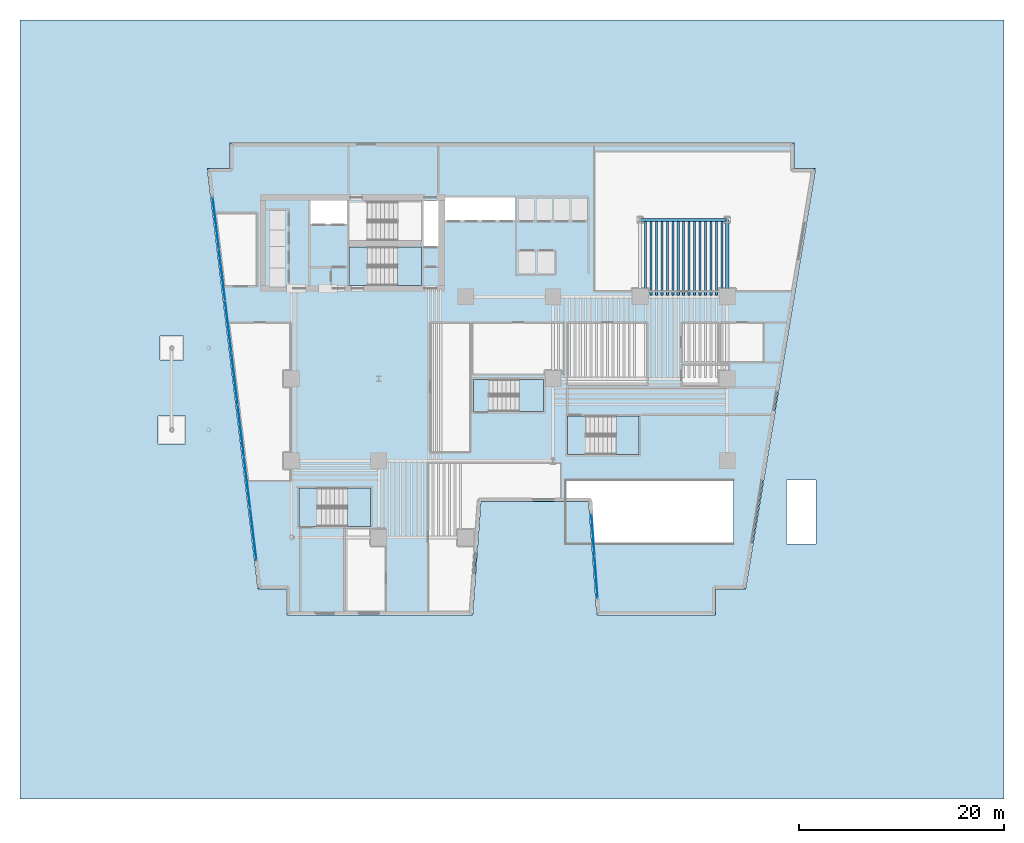
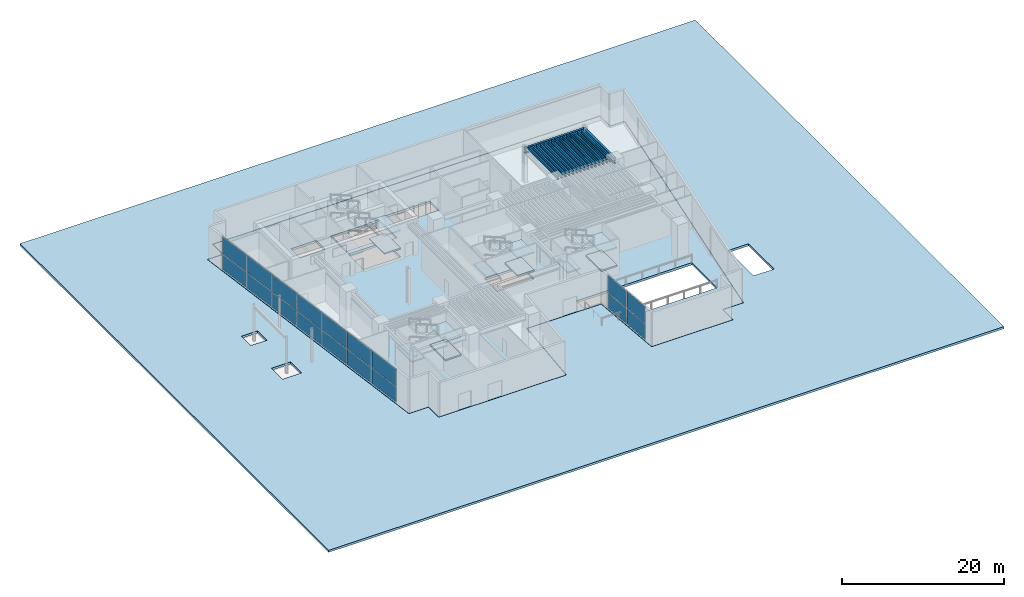
# One storey, part 7 of 18: 18 plates, 17 beams, 14 slabs, 6 elements without a shape of their own.
"""IFC4 building model written with IfcOpenShell, lengths in metres."""

from ifc_helpers import new_model, si_unit, direction, frame, origin, origin_2d, place, context, subcontext, project, spatial, polyline, rectangle, i_section, outline, extrude, material, layer, layer_set, material_profile, profile_set, type_object, element, aggregate, save


model = new_model("IFC4")

# Units and contexts
model_context = context("Model", 3, precision=1e-05, world=origin(), true_north=direction((0.0, 1.0)))
body_context = subcontext(model_context, "Body", "Model", "MODEL_VIEW")
ifc_project = project(units=[si_unit("LENGTHUNIT", "METRE"), si_unit("AREAUNIT", "SQUARE_METRE"), si_unit("VOLUMEUNIT", "CUBIC_METRE"), si_unit("PLANEANGLEUNIT", "RADIAN"), si_unit("MASSUNIT", "GRAM", prefix="KILO")], contexts=[model_context])

# Site, building, storey
site_placement = place(None, origin())
site = spatial("IfcSite", under=ifc_project, at=site_placement, CompositionType="ELEMENT")
building_placement = place(site_placement, origin())
building = spatial("IfcBuilding", under=site, at=building_placement, Name="Caeloran Harvest Quay", CompositionType="ELEMENT")
storey_placement = place(building_placement, origin())
storey = spatial("IfcBuildingStorey", under=building, at=storey_placement, Name="L01", CompositionType="ELEMENT", Elevation=0.0)

# Beams
ifc_material_1 = material(Name="Steel S355J2", Category="steel")
ifc_material_profile_1 = material_profile(ifc_material_1, i_section(OverallWidth=0.300048828125, OverallDepth=0.800048828125, WebThickness=0.017578125, FlangeThickness=0.032958984375, FilletRadius=0.030029296875, at=origin_2d()), Name="HE 800 B")
ifc_profile_set_1 = profile_set([ifc_material_profile_1], Name="Steel S355J2")
beam_type_1 = type_object("IfcBeamType", Name="BM-PG-1-HE_800_B", PredefinedType="BEAM", material=ifc_profile_set_1)
beam_1_placement = place(storey_placement, frame((42.5, 38.5, 4.679931640625), z_axis=(1.0, 0.0, 0.0), x_axis=(0.0, 1.0, 0.0)))
element("IfcBeam", 1, at=beam_1_placement, inside=storey, type_object=beam_type_1, Name="L01 Primary East-West Girder Y=38.5", PredefinedType="BEAM", context=body_context, shape_type="SweptSolid", body=[
    extrude(i_section(OverallWidth=0.300048828125, OverallDepth=0.800048828125, WebThickness=0.017578125, FlangeThickness=0.032958984375, FilletRadius=0.030029296875, at=origin_2d()), origin(), (0.0, 0.0, 1.0), 8.5),
])
beam_2_placement = place(storey_placement, frame((51.0, 31.0, 4.679931640625), z_axis=(0.0, 1.0, 0.0), x_axis=(-1.0, 0.0, 0.0)))
element("IfcBeam", 2, at=beam_2_placement, inside=storey, type_object=beam_type_1, Name="L01 Primary North-South Girder X=51.0", PredefinedType="BEAM", context=body_context, shape_type="SweptSolid", body=[
    extrude(i_section(OverallWidth=0.300048828125, OverallDepth=0.800048828125, WebThickness=0.017578125, FlangeThickness=0.032958984375, FilletRadius=0.030029296875, at=origin_2d()), origin(), (0.0, 0.0, 1.0), 7.5),
])
ifc_material_profile_2 = material_profile(ifc_material_1, i_section(OverallWidth=0.199951171875, OverallDepth=0.5, WebThickness=0.01025390625, FlangeThickness=0.01611328125, FilletRadius=0.02099609375, at=origin_2d()), Name="IPE 500")
ifc_profile_set_2 = profile_set([ifc_material_profile_2], Name="Steel S355J2")
beam_type_2 = type_object("IfcBeamType", Name="BM-SB-2-IPE_500", PredefinedType="JOIST", material=ifc_profile_set_2)
for number, where, z_axis, x_axis, name in (
    (3, (43.03125, 31.14501953125, 4.830078125), (0.0, 1.0, 0.0), (-1.0, 0.0, 0.0), "L01 Secondary Composite Joist"),
    (4, (44.09375, 31.14501953125, 4.830078125), (0.0, 1.0, 0.0), (-1.0, 0.0, 0.0), "L01 Secondary Composite Joist"),
    (5, (45.15625, 31.14501953125, 4.830078125), (0.0, 1.0, 0.0), (-1.0, 0.0, 0.0), "L01 Secondary Composite Joist"),
    (6, (46.21875, 31.14501953125, 4.830078125), (0.0, 1.0, 0.0), (-1.0, 0.0, 0.0), "L01 Secondary Composite Joist"),
    (7, (47.28125, 31.14501953125, 4.830078125), (0.0, 1.0, 0.0), (-1.0, 0.0, 0.0), "L01 Secondary Composite Joist"),
    (8, (48.34375, 31.14501953125, 4.830078125), (0.0, 1.0, 0.0), (-1.0, 0.0, 0.0), "L01 Secondary Composite Joist"),
    (9, (49.40625, 31.14501953125, 4.830078125), (0.0, 1.0, 0.0), (-1.0, 0.0, 0.0), "L01 Secondary Composite Joist"),
    (10, (50.46875, 31.14501953125, 4.830078125), (0.0, 1.0, 0.0), (-1.0, 0.0, 0.0), "L01 Secondary Composite Joist"),
):
    element("IfcBeam", number, at=place(storey_placement, frame(where, z_axis=z_axis, x_axis=x_axis)), inside=storey, type_object=beam_type_2, Name=name, PredefinedType="JOIST", context=body_context, shape_type="SweptSolid", body=[
        extrude(i_section(OverallWidth=0.199951171875, OverallDepth=0.5, WebThickness=0.01025390625, FlangeThickness=0.01611328125, FilletRadius=0.02099609375, at=origin_2d()), origin(), (0.0, 0.0, 1.0), 7.2099609375),
    ])
ifc_material_profile_3 = material_profile(ifc_material_1, i_section(OverallWidth=0.18994140625, OverallDepth=0.449951171875, WebThickness=0.009521484375, FlangeThickness=0.0146484375, FilletRadius=0.02099609375, at=origin_2d()), Name="IPE 450")
ifc_profile_set_3 = profile_set([ifc_material_profile_3], Name="Steel S355J2")
beam_type_3 = type_object("IfcBeamType", Name="BM-SB-3-IPE_450", PredefinedType="JOIST", material=ifc_profile_set_3)
for number, where, z_axis, x_axis, name in (
    (11, (43.5625, 31.14501953125, 4.85498046875), (0.0, 1.0, 0.0), (-1.0, 0.0, 0.0), "L01 Secondary Composite Joist"),
    (12, (44.625, 31.14501953125, 4.85498046875), (0.0, 1.0, 0.0), (-1.0, 0.0, 0.0), "L01 Secondary Composite Joist"),
    (13, (45.6875, 31.14501953125, 4.85498046875), (0.0, 1.0, 0.0), (-1.0, 0.0, 0.0), "L01 Secondary Composite Joist"),
    (14, (46.75, 31.14501953125, 4.85498046875), (0.0, 1.0, 0.0), (-1.0, 0.0, 0.0), "L01 Secondary Composite Joist"),
    (15, (47.8125, 31.14501953125, 4.85498046875), (0.0, 1.0, 0.0), (-1.0, 0.0, 0.0), "L01 Secondary Composite Joist"),
    (16, (48.875, 31.14501953125, 4.85498046875), (0.0, 1.0, 0.0), (-1.0, 0.0, 0.0), "L01 Secondary Composite Joist"),
    (17, (49.9375, 31.14501953125, 4.85498046875), (0.0, 1.0, 0.0), (-1.0, 0.0, 0.0), "L01 Secondary Composite Joist"),
):
    element("IfcBeam", number, at=place(storey_placement, frame(where, z_axis=z_axis, x_axis=x_axis)), inside=storey, type_object=beam_type_3, Name=name, PredefinedType="JOIST", context=body_context, shape_type="SweptSolid", body=[
        extrude(i_section(OverallWidth=0.18994140625, OverallDepth=0.449951171875, WebThickness=0.009521484375, FlangeThickness=0.0146484375, FilletRadius=0.02099609375, at=origin_2d()), origin(), (0.0, 0.0, 1.0), 7.2099609375),
    ])

# Curtain wall, plates
ifc_material_2 = material(Name="Aluminium 6063-T6 and Low-E Glazing", Category="aluminium")
ifc_layer_1 = layer(ifc_material_2, 0.179931640625, Name="Aluminium 6063-T6 and Low-E Glazing")
ifc_layer_set_1 = layer_set([ifc_layer_1], Name="Aluminium 6063-T6 and Low-E Glazing")
curtain_wall_type = type_object("IfcCurtainWallType", Name="CW-SYS-CW-1", PredefinedType="USERDEFINED", material=ifc_layer_set_1)
curtain_wall_1_placement = place(storey_placement, origin())
curtain_wall_1 = element("IfcCurtainWall", 18, at=curtain_wall_1_placement, inside=storey, type_object=curtain_wall_type, Name="L01 Unitised Curtain Wall CW-1 Run 3", ObjectType="CURTAIN_WALL", PredefinedType="USERDEFINED")
ifc_material_3 = material(Name="Low-E Double Glazed Vision Glass Unit", Category="glass")
ifc_layer_2 = layer(ifc_material_3, 0.035888671875, Name="Low-E Double Glazed Vision Glass Unit")
ifc_layer_set_2 = layer_set([ifc_layer_2], Name="Low-E Double Glazed Vision Glass Unit")
plate_type = type_object("IfcPlateType", Name="CW-VISION-PANEL", PredefinedType="CURTAIN_PANEL", material=ifc_layer_set_2)
plate_1_placement = place(storey_placement, frame((4.765380859375, 7.798095703125, 0.080078125), z_axis=(0.0, 0.0, 1.0), x_axis=(-0.119658079138, 0.992815161093, 0.0)))
plate_1 = element("IfcPlate", 19, at=plate_1_placement, type_object=plate_type, Name="CW-1 panel 1.1", PredefinedType="CURTAIN_PANEL", context=body_context, shape_type="SweptSolid", body=[
    extrude(rectangle(XDim=4.99072265625, YDim=0.035888671875, at=origin_2d()), origin(), (0.0, 0.0, 1.0), 2.280029296875),
])
plate_2_placement = place(storey_placement, frame((4.765380859375, 7.798095703125, 2.43994140625), z_axis=(0.0, 0.0, 1.0), x_axis=(-0.119658079138, 0.992815161093, 0.0)))
plate_2 = element("IfcPlate", 20, at=plate_2_placement, type_object=plate_type, Name="CW-1 panel 1.2", PredefinedType="CURTAIN_PANEL", context=body_context, shape_type="SweptSolid", body=[
    extrude(rectangle(XDim=4.99072265625, YDim=0.035888671875, at=origin_2d()), origin(), (0.0, 0.0, 1.0), 2.56005859375),
])
plate_3_placement = place(storey_placement, frame((4.15625, 12.85205078125, 0.080078125), z_axis=(0.0, 0.0, 1.0), x_axis=(-0.119658079138, 0.992815161093, 0.0)))
plate_3 = element("IfcPlate", 21, at=plate_3_placement, type_object=plate_type, Name="CW-1 panel 2.1", PredefinedType="CURTAIN_PANEL", context=body_context, shape_type="SweptSolid", body=[
    extrude(rectangle(XDim=5.030517578125, YDim=0.035888671875, at=origin_2d()), origin(), (0.0, 0.0, 1.0), 2.280029296875),
])
plate_4_placement = place(storey_placement, frame((4.15625, 12.85205078125, 2.43994140625), z_axis=(0.0, 0.0, 1.0), x_axis=(-0.119658079138, 0.992815161093, 0.0)))
plate_4 = element("IfcPlate", 22, at=plate_4_placement, type_object=plate_type, Name="CW-1 panel 2.2", PredefinedType="CURTAIN_PANEL", context=body_context, shape_type="SweptSolid", body=[
    extrude(rectangle(XDim=5.030517578125, YDim=0.035888671875, at=origin_2d()), origin(), (0.0, 0.0, 1.0), 2.56005859375),
])
plate_5_placement = place(storey_placement, frame((3.544677734375, 17.926025390625, 0.080078125), z_axis=(0.0, 0.0, 1.0), x_axis=(-0.119658079138, 0.992815161093, 0.0)))
plate_5 = element("IfcPlate", 23, at=plate_5_placement, type_object=plate_type, Name="CW-1 panel 3.1", PredefinedType="CURTAIN_PANEL", context=body_context, shape_type="SweptSolid", body=[
    extrude(rectangle(XDim=5.030517578125, YDim=0.035888671875, at=origin_2d()), origin(), (0.0, 0.0, 1.0), 2.280029296875),
])
plate_6_placement = place(storey_placement, frame((3.544677734375, 17.926025390625, 2.43994140625), z_axis=(0.0, 0.0, 1.0), x_axis=(-0.119658079138, 0.992815161093, 0.0)))
plate_6 = element("IfcPlate", 24, at=plate_6_placement, type_object=plate_type, Name="CW-1 panel 3.2", PredefinedType="CURTAIN_PANEL", context=body_context, shape_type="SweptSolid", body=[
    extrude(rectangle(XDim=5.030517578125, YDim=0.035888671875, at=origin_2d()), origin(), (0.0, 0.0, 1.0), 2.56005859375),
])
plate_7_placement = place(storey_placement, frame((2.93310546875, 23.0, 0.080078125), z_axis=(0.0, 0.0, 1.0), x_axis=(-0.119658079138, 0.992815161093, 0.0)))
plate_7 = element("IfcPlate", 25, at=plate_7_placement, type_object=plate_type, Name="CW-1 panel 4.1", PredefinedType="CURTAIN_PANEL", context=body_context, shape_type="SweptSolid", body=[
    extrude(rectangle(XDim=5.030517578125, YDim=0.035888671875, at=origin_2d()), origin(), (0.0, 0.0, 1.0), 2.280029296875),
])
plate_8_placement = place(storey_placement, frame((2.93310546875, 23.0, 2.43994140625), z_axis=(0.0, 0.0, 1.0), x_axis=(-0.119658079138, 0.992815161093, 0.0)))
plate_8 = element("IfcPlate", 26, at=plate_8_placement, type_object=plate_type, Name="CW-1 panel 4.2", PredefinedType="CURTAIN_PANEL", context=body_context, shape_type="SweptSolid", body=[
    extrude(rectangle(XDim=5.030517578125, YDim=0.035888671875, at=origin_2d()), origin(), (0.0, 0.0, 1.0), 2.56005859375),
])
plate_9_placement = place(storey_placement, frame((2.321533203125, 28.073974609375, 0.080078125), z_axis=(0.0, 0.0, 1.0), x_axis=(-0.119658079138, 0.992815161093, 0.0)))
plate_9 = element("IfcPlate", 27, at=plate_9_placement, type_object=plate_type, Name="CW-1 panel 5.1", PredefinedType="CURTAIN_PANEL", context=body_context, shape_type="SweptSolid", body=[
    extrude(rectangle(XDim=5.030517578125, YDim=0.035888671875, at=origin_2d()), origin(), (0.0, 0.0, 1.0), 2.280029296875),
])
plate_10_placement = place(storey_placement, frame((2.321533203125, 28.073974609375, 2.43994140625), z_axis=(0.0, 0.0, 1.0), x_axis=(-0.119658079138, 0.992815161093, 0.0)))
plate_10 = element("IfcPlate", 28, at=plate_10_placement, type_object=plate_type, Name="CW-1 panel 5.2", PredefinedType="CURTAIN_PANEL", context=body_context, shape_type="SweptSolid", body=[
    extrude(rectangle(XDim=5.030517578125, YDim=0.035888671875, at=origin_2d()), origin(), (0.0, 0.0, 1.0), 2.56005859375),
])
plate_11_placement = place(storey_placement, frame((1.710205078125, 33.14794921875, 0.080078125), z_axis=(0.0, 0.0, 1.0), x_axis=(-0.119658079138, 0.992815161093, 0.0)))
plate_11 = element("IfcPlate", 29, at=plate_11_placement, type_object=plate_type, Name="CW-1 panel 6.1", PredefinedType="CURTAIN_PANEL", context=body_context, shape_type="SweptSolid", body=[
    extrude(rectangle(XDim=5.030517578125, YDim=0.035888671875, at=origin_2d()), origin(), (0.0, 0.0, 1.0), 2.280029296875),
])
plate_12_placement = place(storey_placement, frame((1.710205078125, 33.14794921875, 2.43994140625), z_axis=(0.0, 0.0, 1.0), x_axis=(-0.119658079138, 0.992815161093, 0.0)))
plate_12 = element("IfcPlate", 30, at=plate_12_placement, type_object=plate_type, Name="CW-1 panel 6.2", PredefinedType="CURTAIN_PANEL", context=body_context, shape_type="SweptSolid", body=[
    extrude(rectangle(XDim=5.030517578125, YDim=0.035888671875, at=origin_2d()), origin(), (0.0, 0.0, 1.0), 2.56005859375),
])
plate_13_placement = place(storey_placement, frame((1.10107421875, 38.201904296875, 0.080078125), z_axis=(0.0, 0.0, 1.0), x_axis=(-0.119658079138, 0.992815161093, 0.0)))
plate_13 = element("IfcPlate", 31, at=plate_13_placement, type_object=plate_type, Name="CW-1 panel 7.1", PredefinedType="CURTAIN_PANEL", context=body_context, shape_type="SweptSolid", body=[
    extrude(rectangle(XDim=4.99072265625, YDim=0.035888671875, at=origin_2d()), origin(), (0.0, 0.0, 1.0), 2.280029296875),
])
plate_14_placement = place(storey_placement, frame((1.10107421875, 38.201904296875, 2.43994140625), z_axis=(0.0, 0.0, 1.0), x_axis=(-0.119658079138, 0.992815161093, 0.0)))
plate_14 = element("IfcPlate", 32, at=plate_14_placement, type_object=plate_type, Name="CW-1 panel 7.2", PredefinedType="CURTAIN_PANEL", context=body_context, shape_type="SweptSolid", body=[
    extrude(rectangle(XDim=4.99072265625, YDim=0.035888671875, at=origin_2d()), origin(), (0.0, 0.0, 1.0), 2.56005859375),
])
aggregate(curtain_wall_1, [plate_1, plate_2, plate_3, plate_4, plate_5, plate_6, plate_7, plate_8, plate_9, plate_10, plate_11, plate_12, plate_13, plate_14])

curtain_wall_2_placement = place(storey_placement, origin())
curtain_wall_2 = element("IfcCurtainWall", 33, at=curtain_wall_2_placement, inside=storey, type_object=curtain_wall_type, Name="L01 Unitised Curtain Wall CW-1 Run 13", ObjectType="CURTAIN_WALL", PredefinedType="USERDEFINED")
plate_15_placement = place(storey_placement, frame((38.20068359375, 3.63818359375, 0.080078125), z_axis=(0.0, 0.0, 1.0), x_axis=(-0.072270599173, 0.997385061295, 0.0)))
plate_15 = element("IfcPlate", 34, at=plate_15_placement, type_object=plate_type, Name="CW-1 panel 1.1", PredefinedType="CURTAIN_PANEL", context=body_context, shape_type="SweptSolid", body=[
    extrude(rectangle(XDim=4.014404296875, YDim=0.035888671875, at=origin_2d()), origin(), (0.0, 0.0, 1.0), 2.280029296875),
])
plate_16_placement = place(storey_placement, frame((38.20068359375, 3.63818359375, 2.43994140625), z_axis=(0.0, 0.0, 1.0), x_axis=(-0.072270599173, 0.997385061295, 0.0)))
plate_16 = element("IfcPlate", 35, at=plate_16_placement, type_object=plate_type, Name="CW-1 panel 1.2", PredefinedType="CURTAIN_PANEL", context=body_context, shape_type="SweptSolid", body=[
    extrude(rectangle(XDim=4.014404296875, YDim=0.035888671875, at=origin_2d()), origin(), (0.0, 0.0, 1.0), 2.56005859375),
])
plate_17_placement = place(storey_placement, frame((37.90478515625, 7.721923828125, 0.080078125), z_axis=(0.0, 0.0, 1.0), x_axis=(-0.072270599173, 0.997385061295, 0.0)))
plate_17 = element("IfcPlate", 36, at=plate_17_placement, type_object=plate_type, Name="CW-1 panel 2.1", PredefinedType="CURTAIN_PANEL", context=body_context, shape_type="SweptSolid", body=[
    extrude(rectangle(XDim=4.014404296875, YDim=0.035888671875, at=origin_2d()), origin(), (0.0, 0.0, 1.0), 2.280029296875),
])
plate_18_placement = place(storey_placement, frame((37.90478515625, 7.721923828125, 2.43994140625), z_axis=(0.0, 0.0, 1.0), x_axis=(-0.072270599173, 0.997385061295, 0.0)))
plate_18 = element("IfcPlate", 37, at=plate_18_placement, type_object=plate_type, Name="CW-1 panel 2.2", PredefinedType="CURTAIN_PANEL", context=body_context, shape_type="SweptSolid", body=[
    extrude(rectangle(XDim=4.014404296875, YDim=0.035888671875, at=origin_2d()), origin(), (0.0, 0.0, 1.0), 2.56005859375),
])
aggregate(curtain_wall_2, [plate_15, plate_16, plate_17, plate_18])

# Slabs
ifc_material_4 = material(Name="Concrete C50/60", Category="concrete")
ifc_layer_3 = layer(ifc_material_4, 0.3349609375, Name="Concrete C50/60")
ifc_layer_set_3 = layer_set([ifc_layer_3], Name="Concrete C50/60")
slab_type_1 = type_object("IfcSlabType", Name="SLAB-FS-335", PredefinedType="FLOOR", material=ifc_layer_set_3)
slab_1_placement = place(storey_placement, frame((0.0, 0.0, -0.3349609375)))
element("IfcSlab", 38, at=slab_1_placement, inside=storey, type_object=slab_type_1, Name="L01 Structural Floor Slab", PredefinedType="FLOOR", context=body_context, shape_type="SweptSolid", body=[
    extrude(outline(polyline([(8.0439453125, 0.0), (26.135986328125, 0.0), (26.93603515625, 11.0400390625), (37.50390625, 11.0400390625), (38.303955078125, 0.0), (49.843994140625, 0.0), (49.843994140625, 2.5), (52.760009765625, 2.5), (59.583984375, 43.5), (57.5, 43.5), (57.5, 46.0), (2.5, 46.0), (2.5, 43.5), (0.30126953125, 43.5), (5.24267578125, 2.5), (8.0439453125, 2.5), (8.0439453125, 0.0)]), holes=[polyline([(51.60009765625, 13.10009765625), (51.60009765625, 6.89990234375), (38.0546875, 6.89990234375), (37.75341796875, 11.05810546875), (37.750244140625, 11.082763671875), (37.744873046875, 11.107177734375), (37.73681640625, 11.130859375), (37.726806640625, 11.15380859375), (37.714111328125, 11.17529296875), (37.69970703125, 11.195556640625), (37.68310546875, 11.21435546875), (37.664794921875, 11.231201171875), (37.64501953125, 11.246337890625), (37.623779296875, 11.259521484375), (37.601318359375, 11.270263671875), (37.577880859375, 11.27880859375), (37.5537109375, 11.284912109375), (37.52880859375, 11.288818359375), (37.50390625, 11.2900390625), (35.199951171875, 11.2900390625), (35.199951171875, 13.10009765625), (51.60009765625, 13.10009765625)]), polyline([(27.75, 19.800048828125), (27.75, 22.949951171875), (33.050048828125, 22.949951171875), (33.050048828125, 19.800048828125), (27.75, 19.800048828125)]), polyline([(15.89990234375, 32.10009765625), (15.89990234375, 35.85009765625), (21.14990234375, 35.85009765625), (21.14990234375, 32.10009765625), (15.89990234375, 32.10009765625)]), polyline([(22.830078125, 35.919921875), (21.35009765625, 35.919921875), (21.35009765625, 40.3798828125), (22.830078125, 40.3798828125), (22.830078125, 35.919921875)]), polyline([(15.89990234375, 36.5), (15.89990234375, 40.25), (21.14990234375, 40.25), (21.14990234375, 36.5), (15.89990234375, 36.5)]), polyline([(13.89990234375, 38.1201171875), (10.320068359375, 38.1201171875), (10.320068359375, 40.3798828125), (13.89990234375, 40.3798828125), (13.89990234375, 38.1201171875)]), polyline([(30.280029296875, 38.419921875), (23.469970703125, 38.419921875), (23.469970703125, 40.679931640625), (30.280029296875, 40.679931640625), (30.280029296875, 38.419921875)])]), origin(), (0.0, 0.0, 1.0), 0.3349609375),
])
ifc_layer_4 = layer(ifc_material_4, 0.320068359375, Name="Concrete C50/60")
ifc_layer_set_4 = layer_set([ifc_layer_4], Name="Concrete C50/60")
slab_type_2 = type_object("IfcSlabType", Name="SLAB-PV-320", PredefinedType="USERDEFINED", material=ifc_layer_set_4)
slab_2_placement = place(storey_placement, frame((0.0, 0.0, -0.320068359375)))
element("IfcSlab", 39, at=slab_2_placement, inside=storey, type_object=slab_type_2, Name="Harbourfront Waterfront Public Promenade Paving", ObjectType="PAVING", PredefinedType="USERDEFINED", context=body_context, shape_type="SweptSolid", body=[
    extrude(outline(polyline([(78.0, -18.0), (-18.0, -18.0), (-18.0, 58.0), (78.0, 58.0), (78.0, -18.0)]), holes=[polyline([(8.016357421875, -0.011474609375), (8.017578125, -0.01416015625), (8.01904296875, -0.0166015625), (8.020751953125, -0.01904296875), (8.022705078125, -0.021240234375), (8.02490234375, -0.023193359375), (8.02734375, -0.02490234375), (8.02978515625, -0.026611328125), (8.032470703125, -0.027587890625), (8.035400390625, -0.02880859375), (8.0380859375, -0.029296875), (8.041015625, -0.02978515625), (8.0439453125, -0.030029296875), (26.135986328125, -0.030029296875), (26.138916015625, -0.02978515625), (26.14208984375, -0.029296875), (26.14501953125, -0.02880859375), (26.147705078125, -0.027587890625), (26.150390625, -0.0263671875), (26.15283203125, -0.02490234375), (26.1552734375, -0.02294921875), (26.157470703125, -0.02099609375), (26.159423828125, -0.018798828125), (26.1611328125, -0.01611328125), (26.16259765625, -0.013671875), (26.163818359375, -0.010986328125), (26.164794921875, -0.008056640625), (26.16552734375, -0.005126953125), (26.166015625, -0.002197265625), (26.9638671875, 11.010009765625), (37.47607421875, 11.010009765625), (38.274169921875, -0.002197265625), (38.2744140625, -0.005126953125), (38.275146484375, -0.008056640625), (38.276123046875, -0.010986328125), (38.27734375, -0.013671875), (38.27880859375, -0.01611328125), (38.280517578125, -0.018798828125), (38.282470703125, -0.02099609375), (38.28466796875, -0.02294921875), (38.287109375, -0.02490234375), (38.28955078125, -0.0263671875), (38.292236328125, -0.027587890625), (38.295166015625, -0.02880859375), (38.298095703125, -0.029296875), (38.301025390625, -0.02978515625), (38.303955078125, -0.030029296875), (49.843994140625, -0.030029296875), (49.846923828125, -0.02978515625), (49.849853515625, -0.029296875), (49.852783203125, -0.02880859375), (49.85546875, -0.027587890625), (49.858154296875, -0.026611328125), (49.860595703125, -0.02490234375), (49.863037109375, -0.023193359375), (49.865234375, -0.021240234375), (49.8671875, -0.01904296875), (49.868896484375, -0.0166015625), (49.87060546875, -0.01416015625), (49.87158203125, -0.011474609375), (49.872802734375, -0.0087890625), (49.873291015625, -0.005859375), (49.873779296875, -0.0029296875), (49.8740234375, 0.0), (49.8740234375, 2.469970703125), (52.760009765625, 2.469970703125), (52.76318359375, 2.47021484375), (52.76611328125, 2.470703125), (52.76904296875, 2.471435546875), (52.771728515625, 2.472412109375), (52.7744140625, 2.4736328125), (52.777099609375, 2.475341796875), (52.779541015625, 2.47705078125), (52.78173828125, 2.479248046875), (52.78369140625, 2.4814453125), (52.785400390625, 2.48388671875), (52.786865234375, 2.486572265625), (52.7880859375, 2.4892578125), (52.7890625, 2.4921875), (52.789794921875, 2.4951171875), (59.613525390625, 43.4951171875), (59.61376953125, 43.497802734375), (59.614013671875, 43.500732421875), (59.61376953125, 43.503662109375), (59.61328125, 43.506591796875), (59.6123046875, 43.509521484375), (59.611328125, 43.51220703125), (59.610107421875, 43.5146484375), (59.6083984375, 43.51708984375), (59.606689453125, 43.519287109375), (59.604736328125, 43.521484375), (59.6025390625, 43.5234375), (59.600341796875, 43.525146484375), (59.597900390625, 43.526611328125), (59.59521484375, 43.52783203125), (59.592529296875, 43.52880859375), (59.589599609375, 43.529296875), (59.5869140625, 43.52978515625), (59.583984375, 43.530029296875), (57.530029296875, 43.530029296875), (57.530029296875, 46.0), (57.52978515625, 46.0029296875), (57.529296875, 46.005859375), (57.52880859375, 46.0087890625), (57.527587890625, 46.011474609375), (57.526611328125, 46.01416015625), (57.52490234375, 46.0166015625), (57.523193359375, 46.01904296875), (57.521240234375, 46.021240234375), (57.51904296875, 46.023193359375), (57.5166015625, 46.02490234375), (57.51416015625, 46.026611328125), (57.511474609375, 46.027587890625), (57.5087890625, 46.02880859375), (57.505859375, 46.029296875), (57.5029296875, 46.02978515625), (57.5, 46.030029296875), (2.5, 46.030029296875), (2.4970703125, 46.02978515625), (2.494140625, 46.029296875), (2.4912109375, 46.02880859375), (2.488525390625, 46.027587890625), (2.48583984375, 46.026611328125), (2.4833984375, 46.02490234375), (2.48095703125, 46.023193359375), (2.478759765625, 46.021240234375), (2.476806640625, 46.01904296875), (2.47509765625, 46.0166015625), (2.473388671875, 46.01416015625), (2.472412109375, 46.011474609375), (2.47119140625, 46.0087890625), (2.470703125, 46.005859375), (2.47021484375, 46.0029296875), (2.469970703125, 46.0), (2.469970703125, 43.530029296875), (0.30126953125, 43.530029296875), (0.29833984375, 43.52978515625), (0.29541015625, 43.529296875), (0.29248046875, 43.52880859375), (0.289794921875, 43.527587890625), (0.287109375, 43.5263671875), (0.284423828125, 43.52490234375), (0.281982421875, 43.52294921875), (0.27978515625, 43.52099609375), (0.27783203125, 43.518798828125), (0.276123046875, 43.516357421875), (0.274658203125, 43.513916015625), (0.2734375, 43.510986328125), (0.2724609375, 43.50830078125), (0.271728515625, 43.50537109375), (0.271484375, 43.50244140625), (0.271240234375, 43.49951171875), (0.271484375, 43.496337890625), (5.212890625, 2.496337890625), (5.21337890625, 2.49365234375), (5.214111328125, 2.49072265625), (5.215087890625, 2.488037109375), (5.216552734375, 2.4853515625), (5.218017578125, 2.48291015625), (5.2197265625, 2.480712890625), (5.2216796875, 2.478515625), (5.223876953125, 2.4765625), (5.226318359375, 2.474853515625), (5.228759765625, 2.473388671875), (5.2314453125, 2.47216796875), (5.234130859375, 2.47119140625), (5.23681640625, 2.470703125), (5.23974609375, 2.47021484375), (5.24267578125, 2.469970703125), (8.013916015625, 2.469970703125), (8.013916015625, 0.0), (8.01416015625, -0.0029296875), (8.0146484375, -0.005859375), (8.015380859375, -0.0087890625), (8.016357421875, -0.011474609375)]), polyline([(56.780029296875, 6.8701171875), (59.669921875, 6.8701171875), (59.669921875, 13.1298828125), (56.780029296875, 13.1298828125), (56.780029296875, 6.8701171875)]), polyline([(-4.550048828125, 19.35009765625), (-4.550048828125, 16.64990234375), (-1.85009765625, 16.64990234375), (-1.85009765625, 19.35009765625), (-4.550048828125, 19.35009765625)]), polyline([(-2.050048828125, 27.14990234375), (-4.35009765625, 27.14990234375), (-4.35009765625, 24.85009765625), (-2.050048828125, 24.85009765625), (-2.050048828125, 27.14990234375)])]), origin(), (0.0, 0.0, 1.0), 0.320068359375),
])

# Stair, slabs
stair_type_1 = type_object("IfcStairType", Name="STAIR-STC-180", PredefinedType="HALF_TURN_STAIR", material=ifc_material_4)
stair_1_placement = place(storey_placement, origin())
stair_1 = element("IfcStair", 40, at=stair_1_placement, inside=storey, type_object=stair_type_1, Name="L01 Core Pressurized Exit Stair ST-C2", PredefinedType="HALF_TURN_STAIR")
ifc_layer_5 = layer(ifc_material_4, 0.219970703125, Name="Concrete C50/60")
ifc_layer_set_5 = layer_set([ifc_layer_5], Name="Concrete C50/60")
slab_type_3 = type_object("IfcSlabType", Name="STAIR-LANDING-220", PredefinedType="LANDING", material=ifc_layer_set_5)
slab_3_placement = place(storey_placement, frame((0.0, 0.0, 1.14990234375)))
slab_3 = element("IfcSlab", 41, at=slab_3_placement, type_object=slab_type_3, Name="ST-C2 landing 1", PredefinedType="LANDING", context=body_context, shape_type="SweptSolid", body=[
    extrude(outline(polyline([(18.840087890625, 32.10009765625), (21.14990234375, 32.10009765625), (21.14990234375, 35.85009765625), (18.840087890625, 35.85009765625), (18.840087890625, 32.10009765625)])), origin(), (0.0, 0.0, 1.0), 0.2001953125),
])
slab_4_placement = place(storey_placement, frame((0.0, 0.0, 2.5)))
slab_4 = element("IfcSlab", 42, at=slab_4_placement, type_object=slab_type_3, Name="ST-C2 landing 2", PredefinedType="LANDING", context=body_context, shape_type="SweptSolid", body=[
    extrude(outline(polyline([(14.10009765625, 32.10009765625), (15.89990234375, 32.10009765625), (15.89990234375, 35.85009765625), (14.10009765625, 35.85009765625), (14.10009765625, 32.10009765625)])), origin(), (0.0, 0.0, 1.0), 0.199951171875),
])
slab_5_placement = place(storey_placement, frame((0.0, 0.0, 3.85009765625)))
slab_5 = element("IfcSlab", 43, at=slab_5_placement, type_object=slab_type_3, Name="ST-C2 landing 3", PredefinedType="LANDING", context=body_context, shape_type="SweptSolid", body=[
    extrude(outline(polyline([(18.840087890625, 32.10009765625), (21.14990234375, 32.10009765625), (21.14990234375, 35.85009765625), (18.840087890625, 35.85009765625), (18.840087890625, 32.10009765625)])), origin(), (0.0, 0.0, 1.0), 0.199951171875),
])
aggregate(stair_1, [slab_3, slab_4, slab_5])

stair_type_2 = type_object("IfcStairType", Name="STAIR-STW-150", PredefinedType="HALF_TURN_STAIR", material=ifc_material_4)
stair_2_placement = place(storey_placement, origin())
stair_2 = element("IfcStair", 44, at=stair_2_placement, inside=storey, type_object=stair_type_2, Name="L01 East Wing Protected Exit Stair ST-W1", PredefinedType="HALF_TURN_STAIR")
slab_6_placement = place(storey_placement, frame((0.0, 0.0, 1.14990234375)))
slab_6 = element("IfcSlab", 45, at=slab_6_placement, type_object=slab_type_3, Name="ST-W1 landing 1", PredefinedType="LANDING", context=body_context, shape_type="SweptSolid", body=[
    extrude(outline(polyline([(30.68994140625, 19.800048828125), (33.050048828125, 19.800048828125), (33.050048828125, 22.949951171875), (30.68994140625, 22.949951171875), (30.68994140625, 19.800048828125)])), origin(), (0.0, 0.0, 1.0), 0.2001953125),
])
slab_7_placement = place(storey_placement, frame((0.0, 0.0, 2.5)))
slab_7 = element("IfcSlab", 46, at=slab_7_placement, type_object=slab_type_3, Name="ST-W1 landing 2", PredefinedType="LANDING", context=body_context, shape_type="SweptSolid", body=[
    extrude(outline(polyline([(26.25, 19.800048828125), (27.75, 19.800048828125), (27.75, 22.949951171875), (26.25, 22.949951171875), (26.25, 19.800048828125)])), origin(), (0.0, 0.0, 1.0), 0.199951171875),
])
slab_8_placement = place(storey_placement, frame((0.0, 0.0, 3.85009765625)))
slab_8 = element("IfcSlab", 47, at=slab_8_placement, type_object=slab_type_3, Name="ST-W1 landing 3", PredefinedType="LANDING", context=body_context, shape_type="SweptSolid", body=[
    extrude(outline(polyline([(30.68994140625, 19.800048828125), (33.050048828125, 19.800048828125), (33.050048828125, 22.949951171875), (30.68994140625, 22.949951171875), (30.68994140625, 19.800048828125)])), origin(), (0.0, 0.0, 1.0), 0.199951171875),
])
aggregate(stair_2, [slab_6, slab_7, slab_8])

stair_type_3 = type_object("IfcStairType", Name="STAIR-STP-180", PredefinedType="HALF_TURN_STAIR", material=ifc_material_4)
stair_3_placement = place(storey_placement, origin())
stair_3 = element("IfcStair", 48, at=stair_3_placement, inside=storey, type_object=stair_type_3, Name="L01 Podium West Public Exit Stair ST-P1", PredefinedType="HALF_TURN_STAIR")
slab_9_placement = place(storey_placement, frame((0.0, 0.0, 1.14990234375)))
slab_9 = element("IfcSlab", 49, at=slab_9_placement, type_object=slab_type_3, Name="ST-P1 landing 1", PredefinedType="LANDING", context=body_context, shape_type="SweptSolid", body=[
    extrude(outline(polyline([(13.93994140625, 8.60009765625), (16.199951171875, 8.60009765625), (16.199951171875, 12.35009765625), (13.93994140625, 12.35009765625), (13.93994140625, 8.60009765625)])), origin(), (0.0, 0.0, 1.0), 0.2001953125),
])
slab_10_placement = place(storey_placement, frame((0.0, 0.0, 2.5)))
slab_10 = element("IfcSlab", 50, at=slab_10_placement, type_object=slab_type_3, Name="ST-P1 landing 2", PredefinedType="LANDING", context=body_context, shape_type="SweptSolid", body=[
    extrude(outline(polyline([(9.199951171875, 8.60009765625), (11.0, 8.60009765625), (11.0, 12.35009765625), (9.199951171875, 12.35009765625), (9.199951171875, 8.60009765625)])), origin(), (0.0, 0.0, 1.0), 0.199951171875),
])
slab_11_placement = place(storey_placement, frame((0.0, 0.0, 3.85009765625)))
slab_11 = element("IfcSlab", 51, at=slab_11_placement, type_object=slab_type_3, Name="ST-P1 landing 3", PredefinedType="LANDING", context=body_context, shape_type="SweptSolid", body=[
    extrude(outline(polyline([(13.93994140625, 8.60009765625), (16.199951171875, 8.60009765625), (16.199951171875, 12.35009765625), (13.93994140625, 12.35009765625), (13.93994140625, 8.60009765625)])), origin(), (0.0, 0.0, 1.0), 0.199951171875),
])
aggregate(stair_3, [slab_9, slab_10, slab_11])

stair_4_placement = place(storey_placement, origin())
stair_4 = element("IfcStair", 52, at=stair_4_placement, inside=storey, type_object=stair_type_3, Name="L01 Podium East Public Exit Stair ST-P2", PredefinedType="HALF_TURN_STAIR")
slab_12_placement = place(storey_placement, frame((0.0, 0.0, 1.14990234375)))
slab_12 = element("IfcSlab", 53, at=slab_12_placement, type_object=slab_type_3, Name="ST-P2 landing 1", PredefinedType="LANDING", context=body_context, shape_type="SweptSolid", body=[
    extrude(outline(polyline([(40.139892578125, 15.60009765625), (42.39990234375, 15.60009765625), (42.39990234375, 19.35009765625), (40.139892578125, 19.35009765625), (40.139892578125, 15.60009765625)])), origin(), (0.0, 0.0, 1.0), 0.2001953125),
])
slab_13_placement = place(storey_placement, frame((0.0, 0.0, 2.5)))
slab_13 = element("IfcSlab", 54, at=slab_13_placement, type_object=slab_type_3, Name="ST-P2 landing 2", PredefinedType="LANDING", context=body_context, shape_type="SweptSolid", body=[
    extrude(outline(polyline([(35.39990234375, 15.60009765625), (37.199951171875, 15.60009765625), (37.199951171875, 19.35009765625), (35.39990234375, 19.35009765625), (35.39990234375, 15.60009765625)])), origin(), (0.0, 0.0, 1.0), 0.199951171875),
])
slab_14_placement = place(storey_placement, frame((0.0, 0.0, 3.85009765625)))
slab_14 = element("IfcSlab", 55, at=slab_14_placement, type_object=slab_type_3, Name="ST-P2 landing 3", PredefinedType="LANDING", context=body_context, shape_type="SweptSolid", body=[
    extrude(outline(polyline([(40.139892578125, 15.60009765625), (42.39990234375, 15.60009765625), (42.39990234375, 19.35009765625), (40.139892578125, 19.35009765625), (40.139892578125, 15.60009765625)])), origin(), (0.0, 0.0, 1.0), 0.199951171875),
])
aggregate(stair_4, [slab_12, slab_13, slab_14])

save(model, "model.ifc")
